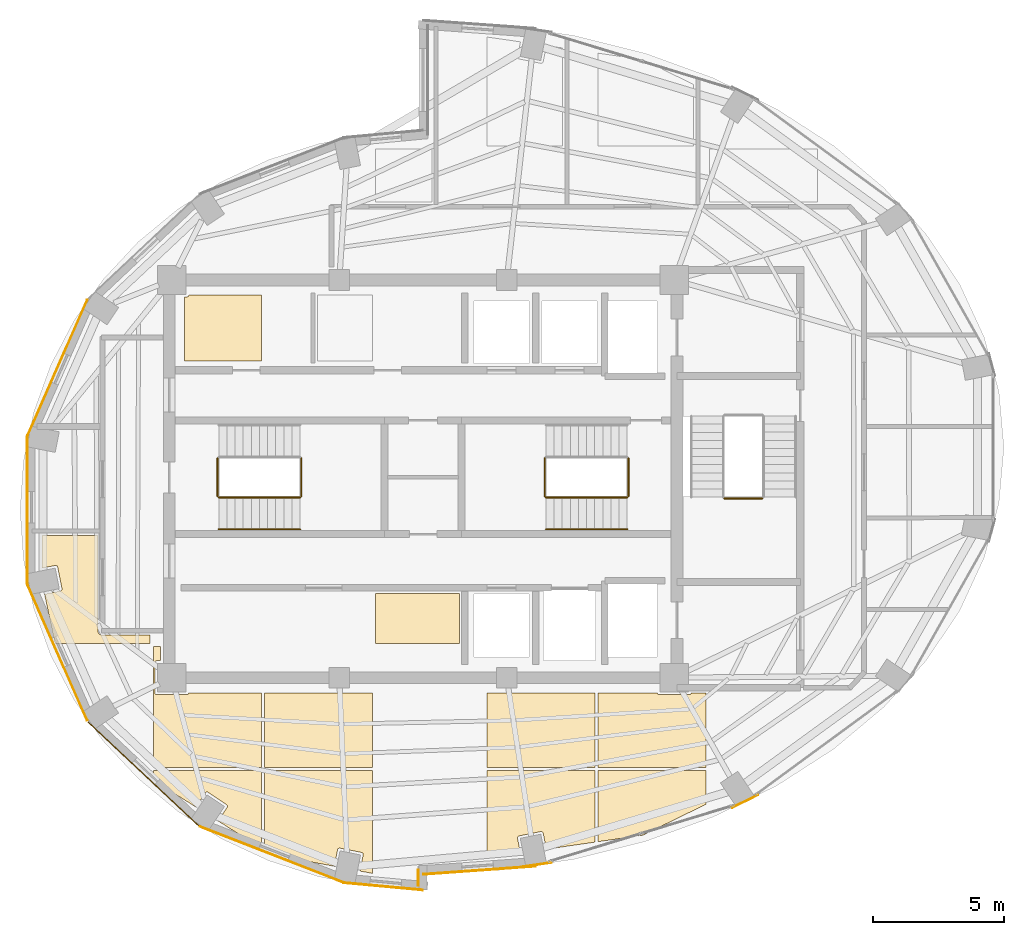
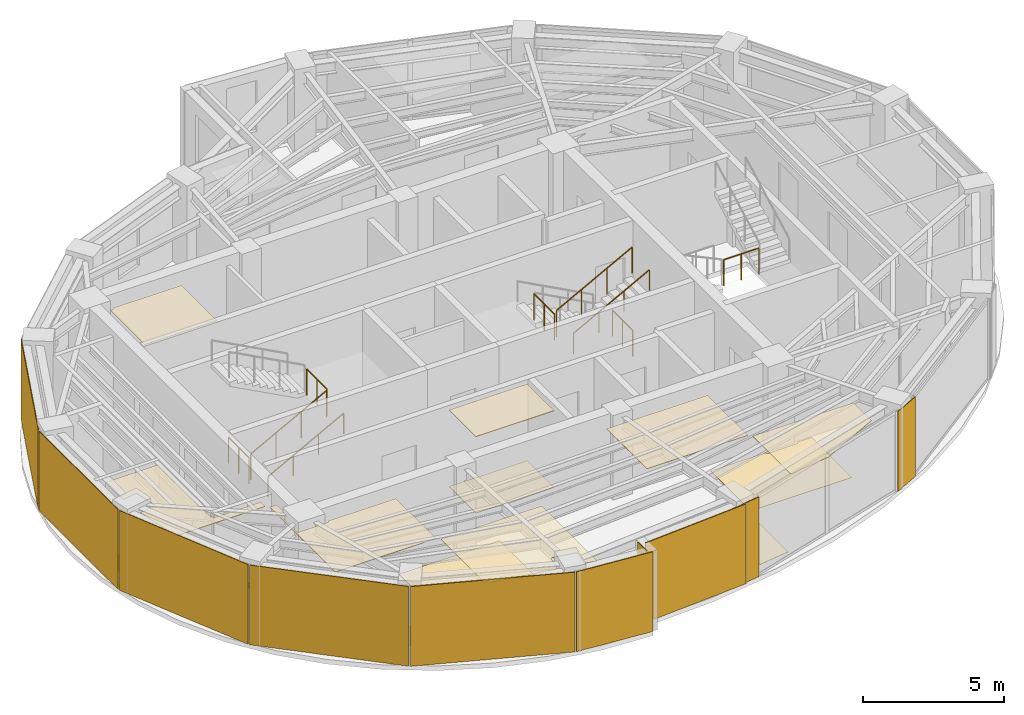
# One storey, part 12 of 13: 23 coverings, 9 railings.
"""IFC4 building model written with IfcOpenShell, lengths in metres."""

import ifcopenshell
import ifcopenshell.guid

model = None  # the IFC model being written
_history = None  # IfcOwnerHistory: only IFC2X3 demands one
_inside = {}  # id of a spatial element -> (the spatial element, [elements in it])
_under = {}  # id of a project, library or spatial element -> (it, [spatial elements below it])
_declared = {}  # id of a project -> (the project, [libraries it declares])
_typed = {}  # id of a type object -> (the type object, [elements of that type])
_made_of = {}  # id of a material, layer set ... -> (it, [elements and type objects made of it])


def new_model(schema):
    """Start an empty IFC model of exactly this schema.

    Asked for "IFC4X3", IfcOpenShell would pick the latest addendum, in which some entities
    have other attributes; the version numbers below select the first issue.
    IFC2X3 requires an IfcOwnerHistory on every rooted entity: one is made here for all.
    """
    global model, _history
    if schema == "IFC4X3":
        model = ifcopenshell.file(schema_version=(4, 3, 0, 0))
    else:
        model = ifcopenshell.file(schema=schema)
    _inside.clear()
    _under.clear()
    _declared.clear()
    _typed.clear()
    _made_of.clear()
    _history = None
    if model.schema == "IFC2X3":
        org = make("IfcOrganization", Name="unknown")
        user = make(
            "IfcPersonAndOrganization",
            ThePerson=make("IfcPerson", FamilyName="unknown"),
            TheOrganization=org,
        )
        app = make(
            "IfcApplication",
            ApplicationDeveloper=org,
            Version="unknown",
            ApplicationFullName="unknown",
            ApplicationIdentifier="unknown",
        )
        _history = make(
            "IfcOwnerHistory",
            OwningUser=user,
            OwningApplication=app,
            ChangeAction="ADDED",
            CreationDate=0,
        )
    return model


def make(cls, **values):
    """One entity of the class cls with the attributes given. An attribute that is None is left unset."""
    return model.create_entity(
        cls, **{name: value for name, value in values.items() if value is not None}
    )


def rooted(cls, **values):
    """An entity with a GlobalId (a new one), such as an element, a storey or a relation."""
    return make(cls, GlobalId=ifcopenshell.guid.new(), OwnerHistory=_history, **values)


def si_unit(unit_type, name, prefix=None):
    """IfcSIUnit, for example si_unit("LENGTHUNIT", "METRE", prefix="MILLI")."""
    return make("IfcSIUnit", UnitType=unit_type, Prefix=prefix, Name=name)


def assignment(units):
    """IfcUnitAssignment: the units of a project."""
    return None if units is None else make("IfcUnitAssignment", Units=units)


def point(xyz):
    """IfcCartesianPoint."""
    return None if xyz is None else make("IfcCartesianPoint", Coordinates=xyz)


def direction(xyz):
    """IfcDirection."""
    return None if xyz is None else make("IfcDirection", DirectionRatios=xyz)


def frame(location, z_axis=None, x_axis=None):
    """IfcAxis2Placement3D, a coordinate frame: its origin and axes. An axis left out is left unset."""
    return make(
        "IfcAxis2Placement3D",
        Location=point(location),
        Axis=direction(z_axis),
        RefDirection=direction(x_axis),
    )


def frame_2d(location, x_axis=None):
    """IfcAxis2Placement2D, a coordinate frame in the plane: its origin and x axis."""
    return make(
        "IfcAxis2Placement2D", Location=point(location), RefDirection=direction(x_axis)
    )


def origin():
    """The frame at (0, 0, 0) with its axes left unset."""
    return frame((0.0, 0.0, 0.0))


def origin_2d():
    """The frame at (0, 0) in the plane with its x axis left unset."""
    return frame_2d((0.0, 0.0))


def place(relative_to, where):
    """IfcLocalPlacement: puts the frame where relative to a parent placement (None: the world)."""
    return make(
        "IfcLocalPlacement", PlacementRelTo=relative_to, RelativePlacement=where
    )


def context(
    kind, dimensions, precision=None, world=None, true_north=None, identifier=None
):
    """IfcGeometricRepresentationContext, for example the 3D "Model" context."""
    return make(
        "IfcGeometricRepresentationContext",
        ContextIdentifier=identifier,
        ContextType=kind,
        CoordinateSpaceDimension=dimensions,
        Precision=precision,
        WorldCoordinateSystem=world,
        TrueNorth=true_north,
    )


def subcontext(parent, identifier, kind, view, scale=None):
    """IfcGeometricRepresentationSubContext, for example "Body" below "Model"."""
    return make(
        "IfcGeometricRepresentationSubContext",
        ContextIdentifier=identifier,
        ContextType=kind,
        ParentContext=parent,
        TargetScale=scale,
        TargetView=view,
    )


def project(units=None, contexts=None):
    """IfcProject with its units and contexts."""
    return rooted(
        "IfcProject",
        Name="project",
        RepresentationContexts=contexts,
        UnitsInContext=assignment(units),
    )


def spatial(cls, under=None, at=None, **own):
    """A site, building, storey or space (cls), placed at a placement, below another one or the project."""
    s = rooted(cls, ObjectPlacement=at, **own)
    if under is not None:
        _under.setdefault(under.id(), (under, []))[1].append(s)
    return s


def polyline(points):
    """IfcPolyline through the points."""
    return make("IfcPolyline", Points=[point(p) for p in points])


def profile(cls, at=None, kind="AREA", **sizes):
    """A parametric profile (cls). Its sizes go by their IFC names, for example OverallWidth=200.0."""
    return make(cls, ProfileType=kind, Position=at, **sizes)


def rectangle(**sizes):
    """IfcRectangleProfileDef."""
    return profile("IfcRectangleProfileDef", **sizes)


def circle(**sizes):
    """IfcCircleProfileDef."""
    return profile("IfcCircleProfileDef", **sizes)


def outline(outer, holes=None, kind="AREA"):
    """IfcArbitraryClosedProfileDef: a profile drawn as a closed curve; with holes, ...WithVoids."""
    if holes is None:
        return make("IfcArbitraryClosedProfileDef", ProfileType=kind, OuterCurve=outer)
    return make(
        "IfcArbitraryProfileDefWithVoids",
        ProfileType=kind,
        OuterCurve=outer,
        InnerCurves=holes,
    )


def extrude(swept, where, along, depth):
    """IfcExtrudedAreaSolid: the profile swept, set in the frame where, extruded along a direction by depth."""
    return make(
        "IfcExtrudedAreaSolid",
        SweptArea=swept,
        Position=where,
        ExtrudedDirection=direction(along),
        Depth=depth,
    )


def shape(context_of_items, identifier, shape_type, items):
    """IfcShapeRepresentation: the items that make up one representation, for example the "Body"."""
    return make(
        "IfcShapeRepresentation",
        ContextOfItems=context_of_items,
        RepresentationIdentifier=identifier,
        RepresentationType=shape_type,
        Items=items,
    )


def material(Name=None, Category=None):
    """IfcMaterial."""
    return make("IfcMaterial", Name=Name, Category=Category)


def layer(
    of_material, thickness, ventilated=None, Name=None, Category=None, Priority=None
):
    """IfcMaterialLayer: one layer of a wall or slab, of a material (None: an air gap)."""
    return make(
        "IfcMaterialLayer",
        Material=of_material,
        LayerThickness=thickness,
        IsVentilated=ventilated,
        Name=Name,
        Category=Category,
        Priority=Priority,
    )


def layer_set(layers, Name=None):
    """IfcMaterialLayerSet."""
    return make("IfcMaterialLayerSet", MaterialLayers=layers, LayerSetName=Name)


def made_of(thing, what):
    """Note that an element or type object is made of a material, layer set ...; save() writes the relation."""
    if what is not None:
        _made_of.setdefault(what.id(), (what, []))[1].append(thing)
    return thing


def type_object(cls, material=None, **own):
    """A type object (cls), such as IfcWallType, which elements share."""
    return made_of(rooted(cls, **own), material)


def element(
    cls,
    number,
    at=None,
    inside=None,
    cuts=None,
    type_object=None,
    material=None,
    context=None,
    identifier="Body",
    shape_type=None,
    held_by="IfcProductDefinitionShape",
    body=None,
    shapes=None,
    **own,
):
    """One element of the class cls, such as IfcWall. Its Tag is "e" and its number.

    at: its placement. inside: the storey or other place that contains it. cuts: it is an
    opening in that element (IfcRelVoidsElement). A single representation is given by context,
    identifier, shape_type and body (its items); several are given by shapes. held_by: the class
    of the entity that holds the representations. save() writes the other relations.
    """
    e = rooted(cls, Tag="e%d" % number, ObjectPlacement=at, **own)
    if body is not None:
        shapes = [shape(context, identifier, shape_type, body)]
    if shapes is not None:
        e.Representation = make(held_by, Representations=shapes)
    if inside is not None:
        _inside.setdefault(inside.id(), (inside, []))[1].append(e)
    if cuts is not None:
        rooted(
            "IfcRelVoidsElement", RelatingBuildingElement=cuts, RelatedOpeningElement=e
        )
    if type_object is not None:
        _typed.setdefault(type_object.id(), (type_object, []))[1].append(e)
    return made_of(e, material)


def aggregate(whole, parts):
    """IfcRelAggregates: a whole, such as a stair, and the parts it consists of."""
    return rooted("IfcRelAggregates", RelatingObject=whole, RelatedObjects=parts)


def save(model, path):
    """Write the relations noted so far, then the file.

    IfcRelAggregates (storeys below a building ...), IfcRelContainedInSpatialStructure (elements
    in a storey), IfcRelDefinesByType, IfcRelAssociatesMaterial and IfcRelDeclares: one each for
    every whole, place, type object, material and project.
    """
    for whole, parts in _under.values():
        aggregate(whole, parts)
    for where, things in _inside.values():
        rooted(
            "IfcRelContainedInSpatialStructure",
            RelatedElements=things,
            RelatingStructure=where,
        )
    for kind, things in _typed.values():
        rooted("IfcRelDefinesByType", RelatedObjects=things, RelatingType=kind)
    for what, things in _made_of.values():
        rooted("IfcRelAssociatesMaterial", RelatedObjects=things, RelatingMaterial=what)
    for by, libraries in _declared.values():
        rooted("IfcRelDeclares", RelatingContext=by, RelatedDefinitions=libraries)
    model.write(path)


model = new_model("IFC4")

# Units and contexts
model_context = context("Model", 3, precision=1e-05, world=origin(), true_north=direction((0.0, 1.0)))
body_context = subcontext(model_context, "Body", "Model", "MODEL_VIEW")
ifc_project = project(units=[si_unit("LENGTHUNIT", "METRE"), si_unit("AREAUNIT", "SQUARE_METRE"), si_unit("VOLUMEUNIT", "CUBIC_METRE"), si_unit("PLANEANGLEUNIT", "RADIAN"), si_unit("MASSUNIT", "GRAM", prefix="KILO")], contexts=[model_context])

# Site, building, storey
site_placement = place(None, origin())
site = spatial("IfcSite", under=ifc_project, at=site_placement, CompositionType="ELEMENT")
building_placement = place(site_placement, origin())
building = spatial("IfcBuilding", under=site, at=building_placement, Name="Lazwardi Medical Tower", CompositionType="ELEMENT")
storey_placement = place(building_placement, frame((0.0, 0.0, 276.912109375)))
storey = spatial("IfcBuildingStorey", under=building, at=storey_placement, Name="L72", CompositionType="ELEMENT", Elevation=276.912109375)

# Coverings
ifc_material_1 = material(Name="Anodised bronze aluminium cassette cladding", Category="aluminium")
ifc_layer_1 = layer(ifc_material_1, 0.030029296875)
ifc_layer_set_1 = layer_set([ifc_layer_1], Name="Anodised bronze aluminium cassette cladding")
covering_type_1 = type_object("IfcCoveringType", Name="COV-CLD-BRZ", PredefinedType="CLADDING", material=ifc_layer_set_1)
covering_1_placement = place(storey_placement, frame((40.3232421875, 13.25048828125, 0.0), z_axis=(0.0, 0.0, 1.0), x_axis=(0.989512431533, 0.144447733943, 0.0)))
element("IfcCovering", 1, at=covering_1_placement, inside=storey, type_object=covering_type_1, Name="L72 Mega-column bronze cassette cover M01", PredefinedType="CLADDING", context=body_context, shape_type="SweptSolid", body=[
    extrude(rectangle(XDim=1.188720703125, YDim=0.030029296875, at=origin_2d()), origin(), (0.0, 0.0, 1.0), 3.447998046875),
])
covering_2_placement = place(storey_placement, frame((48.311279296875, 15.6787109375, 0.0), z_axis=(0.0, 0.0, 1.0), x_axis=(0.897840141691, 0.440321564278, 0.0)))
element("IfcCovering", 2, at=covering_2_placement, inside=storey, type_object=covering_type_1, Name="L72 Mega-column bronze cassette cover M02", PredefinedType="CLADDING", context=body_context, shape_type="SweptSolid", body=[
    extrude(rectangle(XDim=1.110595703125, YDim=0.030029296875, at=origin_2d()), origin(), (0.0, 0.0, 1.0), 3.447998046875),
])
covering_3_placement = place(storey_placement, frame((22.032470703125, 32.25146484375, 0.0), z_axis=(0.0, 0.0, 1.0), x_axis=(-0.402877682365, -0.915253829848, 0.0)))
element("IfcCovering", 3, at=covering_3_placement, inside=storey, type_object=covering_type_1, Name="L72 West drum ceramic/bronze cladding", PredefinedType="CLADDING", context=body_context, shape_type="SweptSolid", body=[
    extrude(rectangle(XDim=5.65576171875, YDim=0.030029296875, at=origin_2d()), origin(), (0.0, 0.0, 1.0), 3.447998046875),
])
covering_4_placement = place(storey_placement, frame((20.880126953125, 26.800048828125, 0.0), z_axis=(0.0, 0.0, 1.0), x_axis=(0.0, -1.0, 0.0)))
element("IfcCovering", 4, at=covering_4_placement, inside=storey, type_object=covering_type_1, Name="L72 West drum ceramic/bronze cladding", PredefinedType="CLADDING", context=body_context, shape_type="SweptSolid", body=[
    extrude(rectangle(XDim=5.60302734375, YDim=0.030029296875, at=origin_2d()), origin(), (0.0, 0.0, 1.0), 3.447998046875),
])
covering_5_placement = place(storey_placement, frame((22.032470703125, 21.3486328125, 0.0), z_axis=(0.0, 0.0, 1.0), x_axis=(0.402877682365, -0.915253829848, 0.0)))
element("IfcCovering", 5, at=covering_5_placement, inside=storey, type_object=covering_type_1, Name="L72 West drum ceramic/bronze cladding", PredefinedType="CLADDING", context=body_context, shape_type="SweptSolid", body=[
    extrude(rectangle(XDim=5.65576171875, YDim=0.030029296875, at=origin_2d()), origin(), (0.0, 0.0, 1.0), 3.447998046875),
])
covering_6_placement = place(storey_placement, frame((25.31201171875, 16.7294921875, 0.0), z_axis=(0.0, 0.0, 1.0), x_axis=(0.728254960063, -0.685306291481, 0.0)))
element("IfcCovering", 6, at=covering_6_placement, inside=storey, type_object=covering_type_1, Name="L72 West drum ceramic/bronze cladding", PredefinedType="CLADDING", context=body_context, shape_type="SweptSolid", body=[
    extrude(rectangle(XDim=5.78125, YDim=0.030029296875, at=origin_2d()), origin(), (0.0, 0.0, 1.0), 3.447998046875),
])
ifc_material_2 = material(Name="Turquoise glazed ceramic tilework cladding", Category="masonry")
ifc_layer_2 = layer(ifc_material_2, 0.034912109375)
ifc_layer_set_2 = layer_set([ifc_layer_2], Name="Turquoise glazed ceramic tilework cladding")
covering_type_2 = type_object("IfcCoveringType", Name="COV-CLD-TRQ", PredefinedType="CLADDING", material=ifc_layer_set_2)
covering_7_placement = place(storey_placement, frame((30.216064453125, 13.64306640625, 0.0), z_axis=(0.0, 0.0, 1.0), x_axis=(0.931720388261, -0.363176428337, 0.0)))
element("IfcCovering", 7, at=covering_7_placement, inside=storey, type_object=covering_type_2, Name="L72 West drum ceramic/bronze cladding", PredefinedType="CLADDING", context=body_context, shape_type="SweptSolid", body=[
    extrude(rectangle(XDim=5.904052734375, YDim=0.034912109375, at=origin_2d()), origin(), (0.0, 0.0, 1.0), 3.447998046875),
])
covering_8_placement = place(storey_placement, frame((38.16259765625, 13.0400390625, 0.0), z_axis=(0.0, 0.0, 1.0), x_axis=(0.997409491337, 0.071932653157, 0.0)))
element("IfcCovering", 8, at=covering_8_placement, inside=storey, type_object=covering_type_2, Name="L72 Turquoise glazed ceramic tilework cladding", PredefinedType="CLADDING", context=body_context, shape_type="SweptSolid", body=[
    extrude(rectangle(XDim=4.31103515625, YDim=0.034912109375, at=origin_2d()), origin(), (0.0, 0.0, 1.0), 3.447998046875),
])
covering_9_placement = place(storey_placement, frame((34.4970703125, 12.423095703125, 0.0), z_axis=(0.0, 0.0, 1.0), x_axis=(0.995733560537, -0.092275004312, 0.0)))
element("IfcCovering", 9, at=covering_9_placement, inside=storey, type_object=covering_type_2, Name="L72 Turquoise glazed ceramic tilework cladding", PredefinedType="CLADDING", context=body_context, shape_type="SweptSolid", body=[
    extrude(rectangle(XDim=2.985595703125, YDim=0.034912109375, at=origin_2d()), origin(), (0.0, 0.0, 1.0), 3.447998046875),
])
covering_10_placement = place(storey_placement, frame((35.824462890625, 12.760009765625, 0.0), z_axis=(0.0, 0.0, 1.0), x_axis=(0.0, 1.0, 0.0)))
element("IfcCovering", 10, at=covering_10_placement, inside=storey, type_object=covering_type_2, Name="L72 Turquoise glazed ceramic tilework iwan panel", PredefinedType="CLADDING", context=body_context, shape_type="SweptSolid", body=[
    extrude(rectangle(XDim=0.60009765625, YDim=0.034912109375, at=origin_2d()), origin(), (0.0, 0.0, 1.0), 3.447998046875),
])
ifc_material_3 = material(Name="Acoustic mineral fibre tile")
ifc_layer_3 = layer(ifc_material_3, 0.02490234375)
ifc_layer_set_3 = layer_set([ifc_layer_3], Name="Acoustic mineral fibre tile")
covering_type_3 = type_object("IfcCoveringType", Name="COV-CLG-01", PredefinedType="CEILING", material=ifc_layer_set_3)
covering_11_placement = place(storey_placement, frame((0.0, 0.0, 3.302978515625)))
element("IfcCovering", 11, at=covering_11_placement, inside=storey, type_object=covering_type_3, Name="L72 Clinical Acoustic Ceiling 1", PredefinedType="CEILING", context=body_context, shape_type="SweptSolid", body=[
    extrude(outline(polyline([(25.57177734375, 22.02490234375), (23.75, 22.02490234375), (23.74560546875, 22.025146484375), (23.736328125, 22.025634765625), (23.7294921875, 22.0263671875), (23.72021484375, 22.027587890625), (23.7119140625, 22.029296875), (23.702880859375, 22.031494140625), (23.69580078125, 22.03369140625), (23.68701171875, 22.03662109375), (23.67919921875, 22.0400390625), (23.6708984375, 22.0439453125), (23.6640625, 22.047607421875), (23.656005859375, 22.052490234375), (23.6494140625, 22.056884765625), (23.641845703125, 22.0625), (23.63623046875, 22.067138671875), (23.62939453125, 22.0732421875), (23.623291015625, 22.079345703125), (23.6171875, 22.086181640625), (23.612548828125, 22.091796875), (23.60693359375, 22.099365234375), (23.602294921875, 22.10595703125), (23.59765625, 22.114013671875), (23.593994140625, 22.120849609375), (23.590087890625, 22.129150390625), (23.586669921875, 22.136962890625), (23.58349609375, 22.145751953125), (23.58154296875, 22.15283203125), (23.5791015625, 22.161865234375), (23.57763671875, 22.17041015625), (23.576416015625, 22.179443359375), (23.57568359375, 22.186279296875), (23.5751953125, 22.19580078125), (23.574951171875, 22.199951171875), (23.574951171875, 25.8349609375), (21.44189453125, 25.8349609375), (21.44189453125, 24.589599609375), (21.94580078125, 24.689697265625), (21.95361328125, 24.69091796875), (21.96142578125, 24.69140625), (21.96923828125, 24.69091796875), (21.97705078125, 24.689697265625), (21.984619140625, 24.68798828125), (21.9921875, 24.685302734375), (21.999267578125, 24.681884765625), (22.005859375, 24.677734375), (22.01220703125, 24.673095703125), (22.01806640625, 24.66796875), (22.023193359375, 24.662109375), (22.028076171875, 24.65576171875), (22.031982421875, 24.64892578125), (22.035400390625, 24.641845703125), (22.0380859375, 24.634521484375), (22.0400390625, 24.626953125), (22.203857421875, 23.802978515625), (22.205078125, 23.79541015625), (22.205322265625, 23.78759765625), (22.205078125, 23.77978515625), (22.203857421875, 23.77197265625), (22.201904296875, 23.764404296875), (22.19921875, 23.7568359375), (22.196044921875, 23.749755859375), (22.19189453125, 23.7431640625), (22.187255859375, 23.73681640625), (22.181884765625, 23.73095703125), (22.17626953125, 23.7255859375), (22.169921875, 23.720947265625), (22.1630859375, 23.716796875), (22.156005859375, 23.713623046875), (22.148681640625, 23.7109375), (22.14111328125, 23.708984375), (21.54052734375, 23.589599609375), (21.9365234375, 21.71630859375), (25.57177734375, 21.71630859375), (25.57177734375, 22.02490234375)])), origin(), (0.0, 0.0, 1.0), 0.02490234375),
])
covering_12_placement = place(storey_placement, frame((0.0, 0.0, 3.302978515625)))
element("IfcCovering", 12, at=covering_12_placement, inside=storey, type_object=covering_type_3, Name="L72 Clinical Acoustic Ceiling 2", PredefinedType="CEILING", context=body_context, shape_type="SweptSolid", body=[
    extrude(outline(polyline([(29.82177734375, 19.820068359375), (27.04931640625, 19.820068359375), (27.048583984375, 19.814453125), (27.046630859375, 19.806884765625), (27.0439453125, 19.79931640625), (27.04052734375, 19.792236328125), (27.03662109375, 19.78564453125), (27.03173828125, 19.779296875), (27.026611328125, 19.7734375), (27.020751953125, 19.768310546875), (27.014404296875, 19.763427734375), (27.0078125, 19.759521484375), (27.00048828125, 19.756103515625), (26.9931640625, 19.75341796875), (26.985595703125, 19.75146484375), (26.977783203125, 19.75048828125), (26.969970703125, 19.75), (25.830078125, 19.75), (25.822265625, 19.75048828125), (25.814453125, 19.75146484375), (25.806884765625, 19.75341796875), (25.79931640625, 19.756103515625), (25.792236328125, 19.759521484375), (25.78564453125, 19.763427734375), (25.779296875, 19.768310546875), (25.7734375, 19.7734375), (25.768310546875, 19.779296875), (25.763427734375, 19.78564453125), (25.759521484375, 19.792236328125), (25.756103515625, 19.79931640625), (25.75341796875, 19.806884765625), (25.75146484375, 19.814453125), (25.75048828125, 19.822265625), (25.75, 19.830078125), (25.75, 20.969970703125), (25.75048828125, 20.977783203125), (25.75146484375, 20.985595703125), (25.75341796875, 20.9931640625), (25.756103515625, 21.00048828125), (25.759521484375, 21.0078125), (25.763427734375, 21.014404296875), (25.768310546875, 21.020751953125), (25.7734375, 21.026611328125), (25.779296875, 21.03173828125), (25.78564453125, 21.03662109375), (25.792236328125, 21.04052734375), (25.79931640625, 21.0439453125), (25.806884765625, 21.046630859375), (25.814453125, 21.048583984375), (25.822265625, 21.049560546875), (25.830078125, 21.050048828125), (25.969970703125, 21.050048828125), (25.969970703125, 21.596435546875), (25.69189453125, 21.596435546875), (25.69189453125, 16.96630859375), (29.82177734375, 16.96630859375), (29.82177734375, 19.820068359375)])), origin(), (0.0, 0.0, 1.0), 0.02490234375),
])
covering_13_placement = place(storey_placement, frame((0.0, 0.0, 3.302978515625)))
element("IfcCovering", 13, at=covering_13_placement, inside=storey, type_object=covering_type_3, Name="L72 Clinical Acoustic Ceiling 3", PredefinedType="CEILING", context=body_context, shape_type="SweptSolid", body=[
    extrude(outline(polyline([(29.82177734375, 35.02001953125), (27.04931640625, 35.02001953125), (27.048583984375, 35.014404296875), (27.046630859375, 35.0068359375), (27.0439453125, 34.99951171875), (27.04052734375, 34.9921875), (27.03662109375, 34.985595703125), (27.03173828125, 34.979248046875), (27.026611328125, 34.973388671875), (27.020751953125, 34.96826171875), (27.014404296875, 34.96337890625), (27.0078125, 34.95947265625), (27.00048828125, 34.9560546875), (26.9931640625, 34.953369140625), (26.985595703125, 34.951416015625), (26.977783203125, 34.950439453125), (26.969970703125, 34.949951171875), (26.8798828125, 34.949951171875), (26.8798828125, 32.5), (29.82177734375, 32.5), (29.82177734375, 35.02001953125)])), origin(), (0.0, 0.0, 1.0), 0.02490234375),
])
covering_14_placement = place(storey_placement, frame((0.0, 0.0, 3.302978515625)))
element("IfcCovering", 14, at=covering_14_placement, inside=storey, type_object=covering_type_3, Name="L72 Clinical Acoustic Ceiling 4", PredefinedType="CEILING", context=body_context, shape_type="SweptSolid", body=[
    extrude(outline(polyline([(29.94189453125, 13.8115234375), (30.205322265625, 13.645751953125), (32.608642578125, 13.196044921875), (32.7333984375, 13.82373046875), (32.7353515625, 13.831298828125), (32.738037109375, 13.838623046875), (32.741455078125, 13.845703125), (32.74560546875, 13.8525390625), (32.750244140625, 13.85888671875), (32.75537109375, 13.86474609375), (32.76123046875, 13.869873046875), (32.767578125, 13.87451171875), (32.7744140625, 13.878662109375), (32.781494140625, 13.882080078125), (32.788818359375, 13.884765625), (32.79638671875, 13.88671875), (32.80419921875, 13.8876953125), (32.81201171875, 13.88818359375), (32.81982421875, 13.8876953125), (32.82763671875, 13.88671875), (33.6513671875, 13.72265625), (33.658935546875, 13.720703125), (33.66650390625, 13.718017578125), (33.673583984375, 13.71484375), (33.68017578125, 13.710693359375), (33.6865234375, 13.7060546875), (33.6923828125, 13.70068359375), (33.697509765625, 13.695068359375), (33.702392578125, 13.688720703125), (33.706298828125, 13.681884765625), (33.709716796875, 13.6748046875), (33.71240234375, 13.66748046875), (33.71435546875, 13.659912109375), (33.71533203125, 13.652099609375), (33.7158203125, 13.644287109375), (33.71533203125, 13.636474609375), (33.71435546875, 13.628662109375), (33.591552734375, 13.01220703125), (34.07177734375, 12.922119140625), (34.07177734375, 16.846435546875), (29.94189453125, 16.846435546875), (29.94189453125, 13.8115234375)])), origin(), (0.0, 0.0, 1.0), 0.02490234375),
])
covering_15_placement = place(storey_placement, frame((0.0, 0.0, 3.302978515625)))
element("IfcCovering", 15, at=covering_15_placement, inside=storey, type_object=covering_type_3, Name="L72 Clinical Acoustic Ceiling 5", PredefinedType="CEILING", context=body_context, shape_type="SweptSolid", body=[
    extrude(outline(polyline([(37.389892578125, 21.71630859375), (37.389892578125, 23.6201171875), (34.19189453125, 23.6201171875), (34.19189453125, 21.71630859375), (37.389892578125, 21.71630859375)])), origin(), (0.0, 0.0, 1.0), 0.02490234375),
])
covering_16_placement = place(storey_placement, frame((0.0, 0.0, 3.302978515625)))
element("IfcCovering", 16, at=covering_16_placement, inside=storey, type_object=covering_type_3, Name="L72 Clinical Acoustic Ceiling 7", PredefinedType="CEILING", context=body_context, shape_type="SweptSolid", body=[
    extrude(outline(polyline([(42.57177734375, 19.820068359375), (38.44189453125, 19.820068359375), (38.44189453125, 16.96630859375), (42.57177734375, 16.96630859375), (42.57177734375, 19.820068359375)])), origin(), (0.0, 0.0, 1.0), 0.02490234375),
])
covering_17_placement = place(storey_placement, frame((0.0, 0.0, 3.302978515625)))
element("IfcCovering", 17, at=covering_17_placement, inside=storey, type_object=covering_type_3, Name="L72 Clinical Acoustic Ceiling 8", PredefinedType="CEILING", context=body_context, shape_type="SweptSolid", body=[
    extrude(outline(polyline([(42.69189453125, 14.13525390625), (44.40283203125, 14.384521484375), (46.82177734375, 15.567626953125), (46.82177734375, 16.846435546875), (42.69189453125, 16.846435546875), (42.69189453125, 14.13525390625)])), origin(), (0.0, 0.0, 1.0), 0.02490234375),
])
ifc_material_4 = material(Name="Anti-static hospital vinyl sheet flooring")
ifc_layer_4 = layer(ifc_material_4, 0.014892578125)
ifc_layer_set_4 = layer_set([ifc_layer_4], Name="Anti-static hospital vinyl sheet flooring")
covering_type_4 = type_object("IfcCoveringType", Name="COV-FLR-01", PredefinedType="FLOORING", material=ifc_layer_set_4)
covering_18_placement = place(storey_placement, origin())
element("IfcCovering", 18, at=covering_18_placement, inside=storey, type_object=covering_type_4, Name="L72 Clinical Vinyl Flooring 1", PredefinedType="FLOORING", context=body_context, shape_type="SweptSolid", body=[
    extrude(outline(polyline([(25.57177734375, 22.02490234375), (23.75, 22.02490234375), (23.74560546875, 22.025146484375), (23.736328125, 22.025634765625), (23.7294921875, 22.0263671875), (23.72021484375, 22.027587890625), (23.7119140625, 22.029296875), (23.702880859375, 22.031494140625), (23.69580078125, 22.03369140625), (23.68701171875, 22.03662109375), (23.67919921875, 22.0400390625), (23.6708984375, 22.0439453125), (23.6640625, 22.047607421875), (23.656005859375, 22.052490234375), (23.6494140625, 22.056884765625), (23.641845703125, 22.0625), (23.63623046875, 22.067138671875), (23.62939453125, 22.0732421875), (23.623291015625, 22.079345703125), (23.6171875, 22.086181640625), (23.612548828125, 22.091796875), (23.60693359375, 22.099365234375), (23.602294921875, 22.10595703125), (23.59765625, 22.114013671875), (23.593994140625, 22.120849609375), (23.590087890625, 22.129150390625), (23.586669921875, 22.136962890625), (23.58349609375, 22.145751953125), (23.58154296875, 22.15283203125), (23.5791015625, 22.161865234375), (23.57763671875, 22.17041015625), (23.576416015625, 22.179443359375), (23.57568359375, 22.186279296875), (23.5751953125, 22.19580078125), (23.574951171875, 22.199951171875), (23.574951171875, 25.8349609375), (21.44189453125, 25.8349609375), (21.44189453125, 24.589599609375), (21.94580078125, 24.689697265625), (21.95361328125, 24.69091796875), (21.96142578125, 24.69140625), (21.96923828125, 24.69091796875), (21.97705078125, 24.689697265625), (21.984619140625, 24.68798828125), (21.9921875, 24.685302734375), (21.999267578125, 24.681884765625), (22.005859375, 24.677734375), (22.01220703125, 24.673095703125), (22.01806640625, 24.66796875), (22.023193359375, 24.662109375), (22.028076171875, 24.65576171875), (22.031982421875, 24.64892578125), (22.035400390625, 24.641845703125), (22.0380859375, 24.634521484375), (22.0400390625, 24.626953125), (22.203857421875, 23.802978515625), (22.205078125, 23.79541015625), (22.205322265625, 23.78759765625), (22.205078125, 23.77978515625), (22.203857421875, 23.77197265625), (22.201904296875, 23.764404296875), (22.19921875, 23.7568359375), (22.196044921875, 23.749755859375), (22.19189453125, 23.7431640625), (22.187255859375, 23.73681640625), (22.181884765625, 23.73095703125), (22.17626953125, 23.7255859375), (22.169921875, 23.720947265625), (22.1630859375, 23.716796875), (22.156005859375, 23.713623046875), (22.148681640625, 23.7109375), (22.14111328125, 23.708984375), (21.54052734375, 23.589599609375), (21.9365234375, 21.71630859375), (25.57177734375, 21.71630859375), (25.57177734375, 22.02490234375)])), origin(), (0.0, 0.0, 1.0), 0.014892578125),
])
covering_19_placement = place(storey_placement, origin())
element("IfcCovering", 19, at=covering_19_placement, inside=storey, type_object=covering_type_4, Name="L72 Clinical Vinyl Flooring 2", PredefinedType="FLOORING", context=body_context, shape_type="SweptSolid", body=[
    extrude(outline(polyline([(25.69189453125, 16.4833984375), (27.32080078125, 15.458984375), (27.6787109375, 15.994384765625), (27.683349609375, 16.000732421875), (27.6884765625, 16.006591796875), (27.6943359375, 16.01171875), (27.70068359375, 16.016357421875), (27.70751953125, 16.0205078125), (27.714599609375, 16.023681640625), (27.721923828125, 16.026611328125), (27.7294921875, 16.0283203125), (27.7373046875, 16.029541015625), (27.7451171875, 16.02978515625), (27.7529296875, 16.029541015625), (27.7607421875, 16.0283203125), (27.768310546875, 16.026611328125), (27.775634765625, 16.023681640625), (27.78271484375, 16.0205078125), (27.78955078125, 16.016357421875), (28.48779296875, 15.5498046875), (28.494384765625, 15.544921875), (28.5, 15.539794921875), (28.50537109375, 15.533935546875), (28.510009765625, 15.527587890625), (28.51416015625, 15.52099609375), (28.517333984375, 15.513916015625), (28.52001953125, 15.50634765625), (28.52197265625, 15.498779296875), (28.523193359375, 15.490966796875), (28.5234375, 15.483154296875), (28.523193359375, 15.475341796875), (28.52197265625, 15.467529296875), (28.52001953125, 15.4599609375), (28.517333984375, 15.45263671875), (28.51416015625, 15.445556640625), (28.510009765625, 15.438720703125), (28.167724609375, 14.926513671875), (29.82177734375, 13.886962890625), (29.82177734375, 16.846435546875), (25.69189453125, 16.846435546875), (25.69189453125, 16.4833984375)])), origin(), (0.0, 0.0, 1.0), 0.014892578125),
])
covering_20_placement = place(storey_placement, origin())
element("IfcCovering", 20, at=covering_20_placement, inside=storey, type_object=covering_type_4, Name="L72 Clinical Vinyl Flooring 3", PredefinedType="FLOORING", context=body_context, shape_type="SweptSolid", body=[
    extrude(outline(polyline([(34.07177734375, 19.820068359375), (29.94189453125, 19.820068359375), (29.94189453125, 16.96630859375), (34.07177734375, 16.96630859375), (34.07177734375, 19.820068359375)])), origin(), (0.0, 0.0, 1.0), 0.014892578125),
])
covering_21_placement = place(storey_placement, origin())
element("IfcCovering", 21, at=covering_21_placement, inside=storey, type_object=covering_type_4, Name="L72 Clinical Vinyl Flooring 5", PredefinedType="FLOORING", context=body_context, shape_type="SweptSolid", body=[
    extrude(outline(polyline([(37.389892578125, 21.71630859375), (37.389892578125, 23.6201171875), (34.19189453125, 23.6201171875), (34.19189453125, 21.71630859375), (37.389892578125, 21.71630859375)])), origin(), (0.0, 0.0, 1.0), 0.014892578125),
])
covering_22_placement = place(storey_placement, origin())
element("IfcCovering", 22, at=covering_22_placement, inside=storey, type_object=covering_type_4, Name="L72 Clinical Vinyl Flooring 7", PredefinedType="FLOORING", context=body_context, shape_type="SweptSolid", body=[
    extrude(outline(polyline([(38.44189453125, 13.516357421875), (39.723876953125, 13.703125), (39.6123046875, 14.26318359375), (39.611328125, 14.27099609375), (39.61083984375, 14.27880859375), (39.611328125, 14.28662109375), (39.6123046875, 14.29443359375), (39.6142578125, 14.302001953125), (39.616943359375, 14.309326171875), (39.620361328125, 14.31640625), (39.62451171875, 14.3232421875), (39.629150390625, 14.32958984375), (39.63427734375, 14.33544921875), (39.64013671875, 14.340576171875), (39.646484375, 14.34521484375), (39.6533203125, 14.349365234375), (39.660400390625, 14.352783203125), (39.667724609375, 14.35546875), (39.67529296875, 14.357421875), (40.4990234375, 14.521240234375), (40.5068359375, 14.522216796875), (40.5146484375, 14.522705078125), (40.5224609375, 14.522216796875), (40.5302734375, 14.521240234375), (40.537841796875, 14.519287109375), (40.54541015625, 14.5166015625), (40.552490234375, 14.51318359375), (40.55908203125, 14.50927734375), (40.5654296875, 14.50439453125), (40.5712890625, 14.499267578125), (40.576416015625, 14.493408203125), (40.581298828125, 14.4873046875), (40.585205078125, 14.48046875), (40.588623046875, 14.473388671875), (40.59130859375, 14.4658203125), (40.59326171875, 14.458251953125), (40.714599609375, 13.847412109375), (42.57177734375, 14.117919921875), (42.57177734375, 16.846435546875), (38.44189453125, 16.846435546875), (38.44189453125, 13.516357421875)])), origin(), (0.0, 0.0, 1.0), 0.014892578125),
])
covering_23_placement = place(storey_placement, origin())
element("IfcCovering", 23, at=covering_23_placement, inside=storey, type_object=covering_type_4, Name="L72 Clinical Vinyl Flooring 9", PredefinedType="FLOORING", context=body_context, shape_type="SweptSolid", body=[
    extrude(outline(polyline([(46.82177734375, 19.820068359375), (46.249267578125, 19.820068359375), (46.24853515625, 19.814453125), (46.24658203125, 19.806884765625), (46.243896484375, 19.79931640625), (46.240478515625, 19.792236328125), (46.236572265625, 19.78564453125), (46.231689453125, 19.779296875), (46.2265625, 19.7734375), (46.220703125, 19.768310546875), (46.21435546875, 19.763427734375), (46.207763671875, 19.759521484375), (46.20068359375, 19.756103515625), (46.193115234375, 19.75341796875), (46.185546875, 19.75146484375), (46.177734375, 19.75048828125), (46.169921875, 19.75), (45.030029296875, 19.75), (45.022216796875, 19.75048828125), (45.014404296875, 19.75146484375), (45.0068359375, 19.75341796875), (44.99951171875, 19.756103515625), (44.9921875, 19.759521484375), (44.985595703125, 19.763427734375), (44.979248046875, 19.768310546875), (44.973388671875, 19.7734375), (44.96826171875, 19.779296875), (44.96337890625, 19.78564453125), (44.95947265625, 19.792236328125), (44.9560546875, 19.79931640625), (44.953369140625, 19.806884765625), (44.951416015625, 19.814453125), (44.95068359375, 19.820068359375), (42.69189453125, 19.820068359375), (42.69189453125, 16.96630859375), (46.82177734375, 16.96630859375), (46.82177734375, 19.820068359375)])), origin(), (0.0, 0.0, 1.0), 0.014892578125),
])

# Railings
ifc_material_5 = material(Name="Stainless steel Grade 316", Category="steel")
railing_type_1 = type_object("IfcRailingType", Name="RLG-GRD-1150", PredefinedType="GUARDRAIL", material=ifc_material_5)
railing_1_placement = place(storey_placement, frame((28.199951171875, 27.2900390625, 0.165771484375)))
element("IfcRailing", 24, at=railing_1_placement, inside=storey, type_object=railing_type_1, Name="L72 ST1 stair guard 1", PredefinedType="GUARDRAIL", context=body_context, shape_type="SweptSolid", body=[
    extrude(circle(Radius=0.02392578125, at=origin_2d()), frame((0.0, 0.0, 1.1259765625), z_axis=(0.881783298633, 0.0, 0.471654761719), x_axis=(0.0, 1.0, 0.0)), (0.0, 0.0, 1.0), 3.515625),
    extrude(circle(Radius=0.02099609375, at=origin_2d()), origin(), (0.0, 0.0, 1.0), 1.099853515625),
    extrude(circle(Radius=0.02099609375, at=origin_2d()), frame((1.033447265625, 0.0, 0.552734375)), (0.0, 0.0, 1.0), 1.099853515625),
    extrude(circle(Radius=0.02099609375, at=origin_2d()), frame((2.066650390625, 0.0, 1.10546875)), (0.0, 0.0, 1.0), 1.099853515625),
    extrude(circle(Radius=0.02099609375, at=origin_2d()), frame((3.10009765625, 0.0, 1.658203125)), (0.0, 0.0, 1.0), 1.099853515625),
])
for number, where, name in (
    (25, (31.35009765625, 27.340087890625, 1.823974609375), "L72 ST1 stair guard 2"),
    (26, (28.14990234375, 27.340087890625, 0.0), "L72 ST1 stair guard 4"),
):
    element("IfcRailing", number, at=place(storey_placement, frame(where)), inside=storey, type_object=railing_type_1, Name=name, PredefinedType="GUARDRAIL", context=body_context, shape_type="SweptSolid", body=[
        extrude(circle(Radius=0.02392578125, at=origin_2d()), frame((0.0, 0.0, 1.1259765625), z_axis=(0.0, 1.0, 0.0), x_axis=(-1.0, 0.0, 0.0)), (0.0, 0.0, 1.0), 1.43994140625),
        extrude(circle(Radius=0.02099609375, at=origin_2d()), origin(), (0.0, 0.0, 1.0), 1.099853515625),
        extrude(circle(Radius=0.02099609375, at=origin_2d()), frame((0.0, 0.719970703125, 0.0)), (0.0, 0.0, 1.0), 1.099853515625),
        extrude(circle(Radius=0.02099609375, at=origin_2d()), frame((0.0, 1.43994140625, 0.0)), (0.0, 0.0, 1.0), 1.099853515625),
    ])
railing_2_placement = place(storey_placement, frame((40.64990234375, 28.780029296875, 1.823974609375)))
element("IfcRailing", 27, at=railing_2_placement, inside=storey, type_object=railing_type_1, Name="L72 ST2 stair guard 2", PredefinedType="GUARDRAIL", context=body_context, shape_type="SweptSolid", body=[
    extrude(circle(Radius=0.02392578125, at=origin_2d()), frame((0.0, 0.0, 1.1259765625), z_axis=(0.0, -1.0, 0.0), x_axis=(1.0, 0.0, 0.0)), (0.0, 0.0, 1.0), 1.43994140625),
    extrude(circle(Radius=0.02099609375, at=origin_2d()), origin(), (0.0, 0.0, 1.0), 1.099853515625),
    extrude(circle(Radius=0.02099609375, at=origin_2d()), frame((0.0, -0.719970703125, 0.0)), (0.0, 0.0, 1.0), 1.099853515625),
    extrude(circle(Radius=0.02099609375, at=origin_2d()), frame((0.0, -1.43994140625, 0.0)), (0.0, 0.0, 1.0), 1.099853515625),
])
railing_3_placement = place(storey_placement, frame((40.699951171875, 27.2900390625, 1.98974609375)))
element("IfcRailing", 28, at=railing_3_placement, inside=storey, type_object=railing_type_1, Name="L72 ST2 stair guard 3", PredefinedType="GUARDRAIL", context=body_context, shape_type="SweptSolid", body=[
    extrude(circle(Radius=0.02392578125, at=origin_2d()), frame((0.0, 0.0, 1.1259765625), z_axis=(0.881783298633, 0.0, 0.471654761719), x_axis=(0.0, 1.0, 0.0)), (0.0, 0.0, 1.0), 3.515625),
    extrude(circle(Radius=0.02099609375, at=origin_2d()), origin(), (0.0, 0.0, 1.0), 1.099853515625),
    extrude(circle(Radius=0.02099609375, at=origin_2d()), frame((1.033447265625, 0.0, 0.552734375)), (0.0, 0.0, 1.0), 1.099853515625),
    extrude(circle(Radius=0.02099609375, at=origin_2d()), frame((2.066650390625, 0.0, 1.10546875)), (0.0, 0.0, 1.0), 1.099853515625),
    extrude(circle(Radius=0.02099609375, at=origin_2d()), frame((3.10009765625, 0.0, 1.658203125)), (0.0, 0.0, 1.0), 1.099853515625),
])
railing_4_placement = place(storey_placement, frame((43.85009765625, 28.780029296875, 0.0)))
element("IfcRailing", 29, at=railing_4_placement, inside=storey, type_object=railing_type_1, Name="L72 ST2 stair guard 4", PredefinedType="GUARDRAIL", context=body_context, shape_type="SweptSolid", body=[
    extrude(circle(Radius=0.02392578125, at=origin_2d()), frame((0.0, 0.0, 1.1259765625), z_axis=(0.0, -1.0, 0.0), x_axis=(1.0, 0.0, 0.0)), (0.0, 0.0, 1.0), 1.43994140625),
    extrude(circle(Radius=0.02099609375, at=origin_2d()), origin(), (0.0, 0.0, 1.0), 1.099853515625),
    extrude(circle(Radius=0.02099609375, at=origin_2d()), frame((0.0, -0.719970703125, 0.0)), (0.0, 0.0, 1.0), 1.099853515625),
    extrude(circle(Radius=0.02099609375, at=origin_2d()), frame((0.0, -1.43994140625, 0.0)), (0.0, 0.0, 1.0), 1.099853515625),
])
railing_5_placement = place(storey_placement, frame((47.52001953125, 27.25, 1.823974609375)))
element("IfcRailing", 30, at=railing_5_placement, inside=storey, type_object=railing_type_1, Name="L72 ST3 stair guard 2", PredefinedType="GUARDRAIL", context=body_context, shape_type="SweptSolid", body=[
    extrude(circle(Radius=0.02392578125, at=origin_2d()), frame((0.0, 0.0, 1.1259765625), z_axis=(1.0, 0.0, 0.0), x_axis=(0.0, 1.0, 0.0)), (0.0, 0.0, 1.0), 1.43994140625),
    extrude(circle(Radius=0.02099609375, at=origin_2d()), origin(), (0.0, 0.0, 1.0), 1.099853515625),
    extrude(circle(Radius=0.02099609375, at=origin_2d()), frame((0.719970703125, 0.0, 0.0)), (0.0, 0.0, 1.0), 1.099853515625),
    extrude(circle(Radius=0.02099609375, at=origin_2d()), frame((1.43994140625, 0.0, 0.0)), (0.0, 0.0, 1.0), 1.099853515625),
])
railing_type_2 = type_object("IfcRailingType", Name="RLG-HND-920", PredefinedType="HANDRAIL", material=ifc_material_5)
for number, where, name in (
    (31, (28.199951171875, 26.070068359375, 0.165771484375), "L72 ST1 stair handrail 1"),
    (32, (40.699951171875, 26.070068359375, 1.98974609375), "L72 ST2 stair handrail 2"),
):
    element("IfcRailing", number, at=place(storey_placement, frame(where)), inside=storey, type_object=railing_type_2, Name=name, PredefinedType="HANDRAIL", context=body_context, shape_type="SweptSolid", body=[
        extrude(circle(Radius=0.02392578125, at=origin_2d()), frame((0.0, 0.0, 0.8857421875), z_axis=(0.881783298633, 0.0, 0.471654761719), x_axis=(0.0, 1.0, 0.0)), (0.0, 0.0, 1.0), 3.515625),
        extrude(circle(Radius=0.02099609375, at=origin_2d()), origin(), (0.0, 0.0, 1.0), 0.85986328125),
        extrude(circle(Radius=0.02099609375, at=origin_2d()), frame((1.033447265625, 0.0, 0.552734375)), (0.0, 0.0, 1.0), 0.85986328125),
        extrude(circle(Radius=0.02099609375, at=origin_2d()), frame((2.066650390625, 0.0, 1.10546875)), (0.0, 0.0, 1.0), 0.85986328125),
        extrude(circle(Radius=0.02099609375, at=origin_2d()), frame((3.10009765625, 0.0, 1.658203125)), (0.0, 0.0, 1.0), 0.85986328125),
    ])

save(model, "model.ifc")
